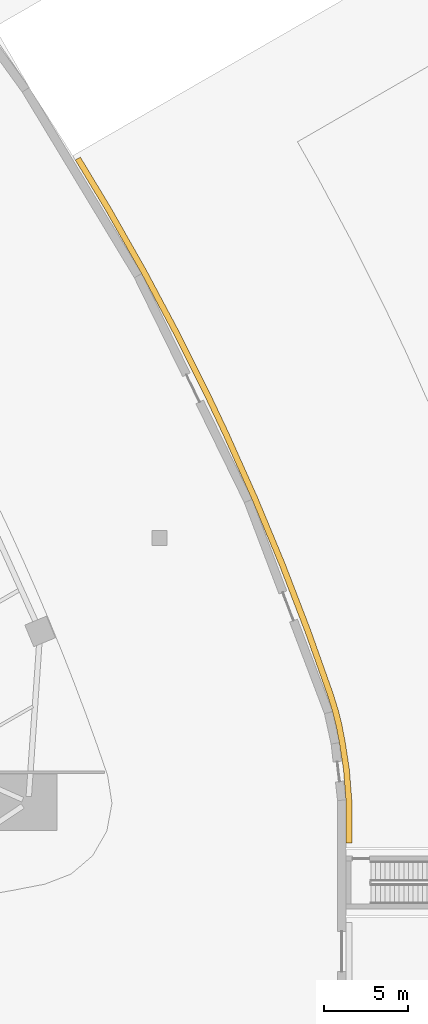
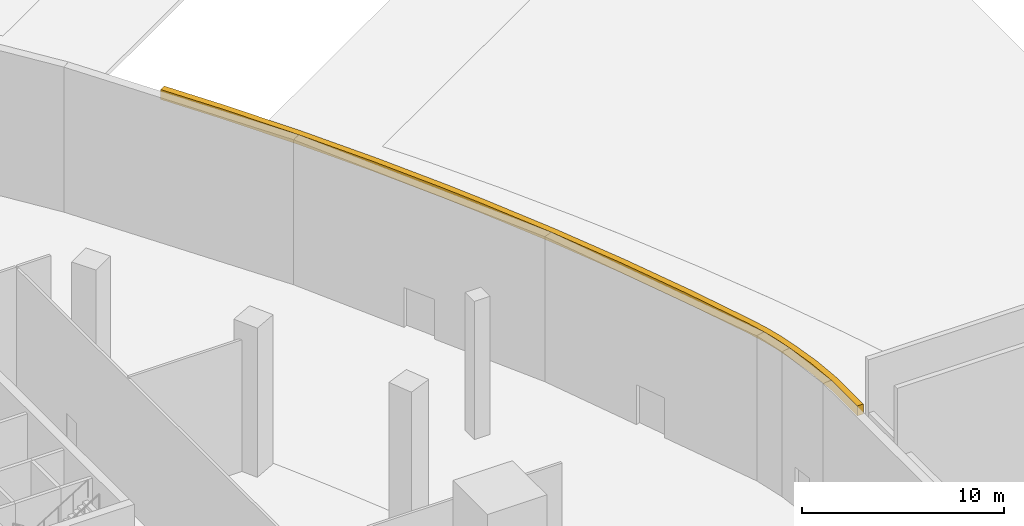
# One storey, part 28 of 29: 1 covering.
"""IFC4 building model written with IfcOpenShell, lengths in metres."""

from ifc_helpers import new_model, si_unit, direction, frame, origin, place, context, subcontext, project, spatial, polyline, outline, extrude, material, layer, layer_set, type_object, element, save


model = new_model("IFC4")

# Units and contexts
model_context = context("Model", 3, precision=1e-05, world=origin(), true_north=direction((0.0, 1.0)))
body_context = subcontext(model_context, "Body", "Model", "MODEL_VIEW")
ifc_project = project(units=[si_unit("LENGTHUNIT", "METRE"), si_unit("AREAUNIT", "SQUARE_METRE"), si_unit("VOLUMEUNIT", "CUBIC_METRE"), si_unit("PLANEANGLEUNIT", "RADIAN"), si_unit("MASSUNIT", "GRAM", prefix="KILO")], contexts=[model_context])

# Site, building, storey
site_placement = place(None, origin())
site = spatial("IfcSite", under=ifc_project, at=site_placement, CompositionType="ELEMENT")
building_placement = place(site_placement, origin())
building = spatial("IfcBuilding", under=site, at=building_placement, Name="Sierra Prisma Convention Tower", CompositionType="ELEMENT")
storey_placement = place(building_placement, origin())
storey = spatial("IfcBuildingStorey", under=building, at=storey_placement, Name="L00", CompositionType="ELEMENT", Elevation=0.0)

# Covering
ifc_material = material(Name="Dark rose-grey plaster")
ifc_layer = layer(ifc_material, 0.35009765625)
ifc_layer_set = layer_set([ifc_layer], Name="Plinth cornice band 600")
covering_type = type_object("IfcCoveringType", Name="Plinth cornice band 600", PredefinedType="CLADDING", material=ifc_layer_set)
covering_placement = place(storey_placement, frame((0.0, 0.0, 8.14990234375)))
element("IfcCovering", 1, at=covering_placement, inside=storey, type_object=covering_type, Name="Plinth cornice 4", PredefinedType="CLADDING", context=body_context, shape_type="SweptSolid", body=[
    extrude(outline(polyline([(30.46435546875, 22.78759765625), (30.1611328125, 22.612548828125), (31.964111328125, 19.62939453125), (34.127197265625, 15.81787109375), (36.121826171875, 12.069091796875), (37.962158203125, 8.37841796875), (38.99560546875, 6.19482421875), (40.73095703125, 2.3193359375), (42.38720703125, -1.66455078125), (43.89208984375, -5.577392578125), (45.2490234375, -9.4033203125), (45.5478515625, -10.3740234375), (45.761962890625, -11.231201171875), (45.954833984375, -12.228515625), (46.206787109375, -13.87548828125), (46.346923828125, -15.666259765625), (46.34814453125, -18.22509765625), (46.697998046875, -18.22509765625), (46.697021484375, -15.652587890625), (46.5546875, -13.835205078125), (46.2998046875, -12.1689453125), (46.103759765625, -11.155517578125), (45.88525390625, -10.280029296875), (45.58154296875, -9.293212890625), (44.22021484375, -5.4560546875), (42.712158203125, -1.53466796875), (41.052490234375, 2.4580078125), (39.3134765625, 6.34130859375), (38.277099609375, 8.53125), (36.43310546875, 12.2294921875), (34.433837890625, 15.986328125), (32.26611328125, 19.80615234375), (30.46435546875, 22.78759765625)])), origin(), (0.0, 0.0, 1.0), 0.60009765625),
])

save(model, "model.ifc")
